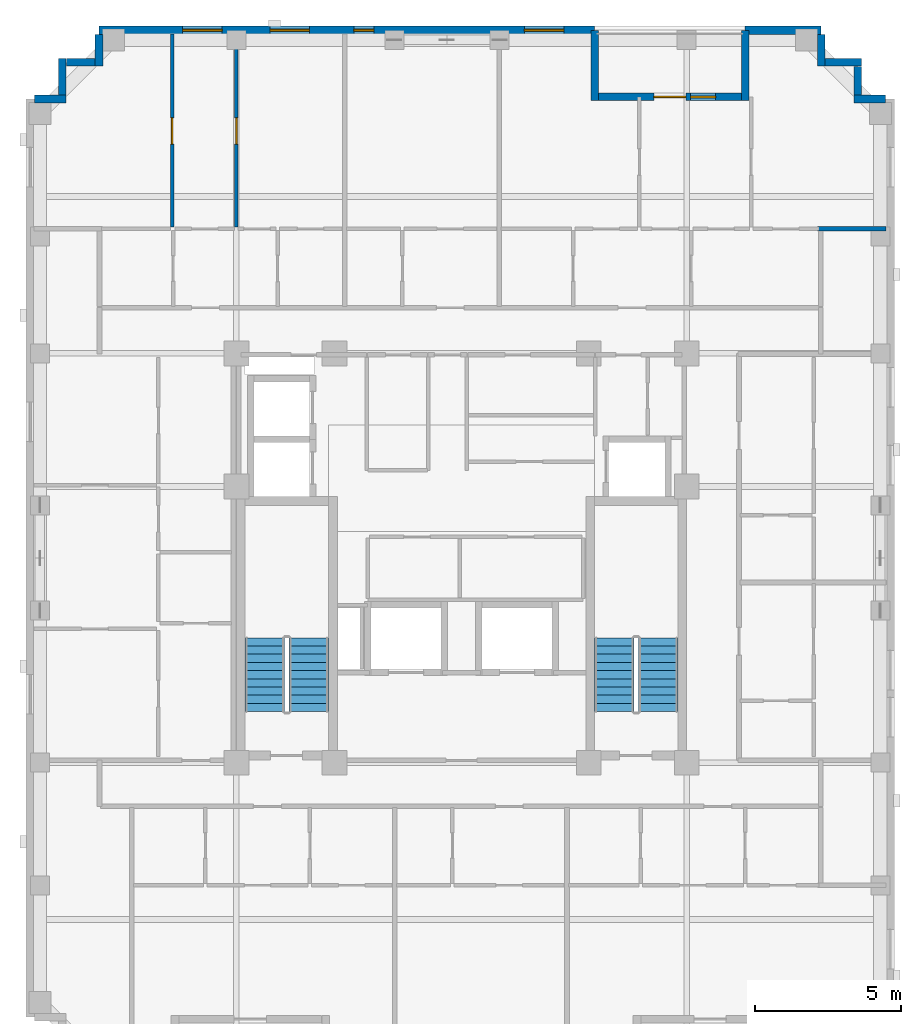
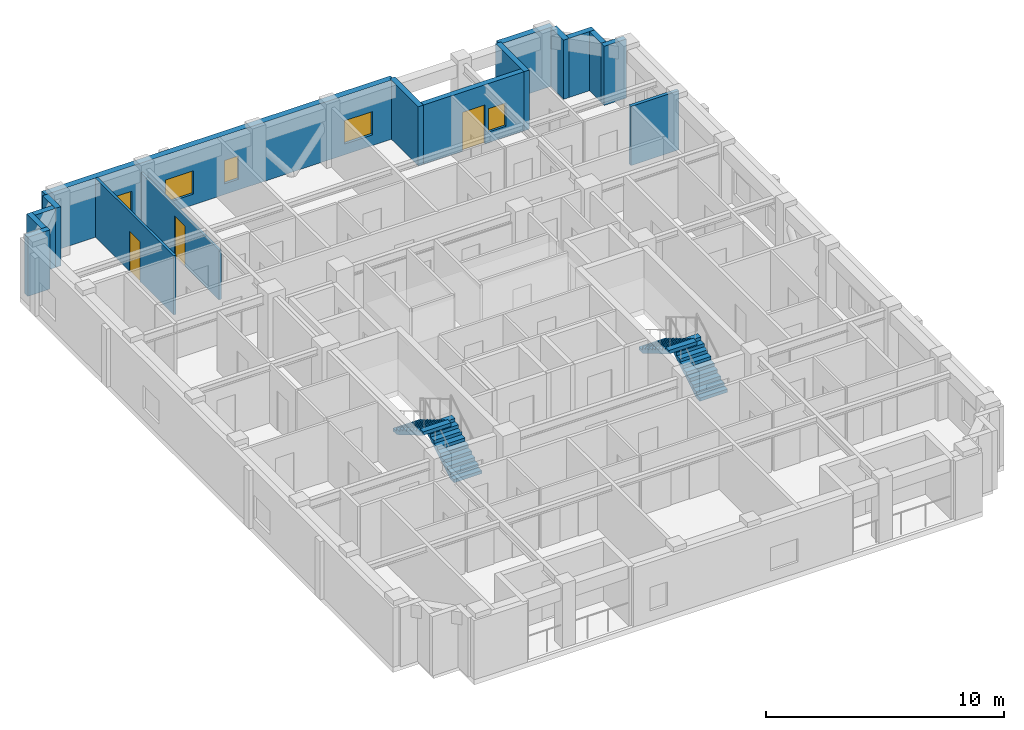
# One storey, part 7 of 11: 16 walls, 5 windows, 4 stair flights, 3 doors, 8 openings, 2 elements without a shape of their own.
"""IFC4 building model written with IfcOpenShell, lengths in metres."""

import ifcopenshell
import ifcopenshell.guid

model = None  # the IFC model being written
_history = None  # IfcOwnerHistory: only IFC2X3 demands one
_inside = {}  # id of a spatial element -> (the spatial element, [elements in it])
_under = {}  # id of a project, library or spatial element -> (it, [spatial elements below it])
_declared = {}  # id of a project -> (the project, [libraries it declares])
_typed = {}  # id of a type object -> (the type object, [elements of that type])
_made_of = {}  # id of a material, layer set ... -> (it, [elements and type objects made of it])


def new_model(schema):
    """Start an empty IFC model of exactly this schema.

    Asked for "IFC4X3", IfcOpenShell would pick the latest addendum, in which some entities
    have other attributes; the version numbers below select the first issue.
    IFC2X3 requires an IfcOwnerHistory on every rooted entity: one is made here for all.
    """
    global model, _history
    if schema == "IFC4X3":
        model = ifcopenshell.file(schema_version=(4, 3, 0, 0))
    else:
        model = ifcopenshell.file(schema=schema)
    _inside.clear()
    _under.clear()
    _declared.clear()
    _typed.clear()
    _made_of.clear()
    _history = None
    if model.schema == "IFC2X3":
        org = make("IfcOrganization", Name="unknown")
        user = make(
            "IfcPersonAndOrganization",
            ThePerson=make("IfcPerson", FamilyName="unknown"),
            TheOrganization=org,
        )
        app = make(
            "IfcApplication",
            ApplicationDeveloper=org,
            Version="unknown",
            ApplicationFullName="unknown",
            ApplicationIdentifier="unknown",
        )
        _history = make(
            "IfcOwnerHistory",
            OwningUser=user,
            OwningApplication=app,
            ChangeAction="ADDED",
            CreationDate=0,
        )
    return model


def make(cls, **values):
    """One entity of the class cls with the attributes given. An attribute that is None is left unset."""
    return model.create_entity(
        cls, **{name: value for name, value in values.items() if value is not None}
    )


def rooted(cls, **values):
    """An entity with a GlobalId (a new one), such as an element, a storey or a relation."""
    return make(cls, GlobalId=ifcopenshell.guid.new(), OwnerHistory=_history, **values)


def si_unit(unit_type, name, prefix=None):
    """IfcSIUnit, for example si_unit("LENGTHUNIT", "METRE", prefix="MILLI")."""
    return make("IfcSIUnit", UnitType=unit_type, Prefix=prefix, Name=name)


def derived_unit(unit_type, elements):
    """IfcDerivedUnit: a product of units, each with its exponent."""
    return make(
        "IfcDerivedUnit",
        Elements=[
            make("IfcDerivedUnitElement", Unit=unit, Exponent=power)
            for unit, power in elements
        ],
        UnitType=unit_type,
    )


def assignment(units):
    """IfcUnitAssignment: the units of a project."""
    return None if units is None else make("IfcUnitAssignment", Units=units)


def point(xyz):
    """IfcCartesianPoint."""
    return None if xyz is None else make("IfcCartesianPoint", Coordinates=xyz)


def direction(xyz):
    """IfcDirection."""
    return None if xyz is None else make("IfcDirection", DirectionRatios=xyz)


def frame(location, z_axis=None, x_axis=None):
    """IfcAxis2Placement3D, a coordinate frame: its origin and axes. An axis left out is left unset."""
    return make(
        "IfcAxis2Placement3D",
        Location=point(location),
        Axis=direction(z_axis),
        RefDirection=direction(x_axis),
    )


def frame_2d(location, x_axis=None):
    """IfcAxis2Placement2D, a coordinate frame in the plane: its origin and x axis."""
    return make(
        "IfcAxis2Placement2D", Location=point(location), RefDirection=direction(x_axis)
    )


def origin():
    """The frame at (0, 0, 0) with its axes left unset."""
    return frame((0.0, 0.0, 0.0))


def place(relative_to, where):
    """IfcLocalPlacement: puts the frame where relative to a parent placement (None: the world)."""
    return make(
        "IfcLocalPlacement", PlacementRelTo=relative_to, RelativePlacement=where
    )


def context(
    kind, dimensions, precision=None, world=None, true_north=None, identifier=None
):
    """IfcGeometricRepresentationContext, for example the 3D "Model" context."""
    return make(
        "IfcGeometricRepresentationContext",
        ContextIdentifier=identifier,
        ContextType=kind,
        CoordinateSpaceDimension=dimensions,
        Precision=precision,
        WorldCoordinateSystem=world,
        TrueNorth=true_north,
    )


def subcontext(parent, identifier, kind, view, scale=None):
    """IfcGeometricRepresentationSubContext, for example "Body" below "Model"."""
    return make(
        "IfcGeometricRepresentationSubContext",
        ContextIdentifier=identifier,
        ContextType=kind,
        ParentContext=parent,
        TargetScale=scale,
        TargetView=view,
    )


def project(units=None, contexts=None):
    """IfcProject with its units and contexts."""
    return rooted(
        "IfcProject",
        Name="project",
        RepresentationContexts=contexts,
        UnitsInContext=assignment(units),
    )


def spatial(cls, under=None, at=None, **own):
    """A site, building, storey or space (cls), placed at a placement, below another one or the project."""
    s = rooted(cls, ObjectPlacement=at, **own)
    if under is not None:
        _under.setdefault(under.id(), (under, []))[1].append(s)
    return s


def polyline(points):
    """IfcPolyline through the points."""
    return make("IfcPolyline", Points=[point(p) for p in points])


def profile(cls, at=None, kind="AREA", **sizes):
    """A parametric profile (cls). Its sizes go by their IFC names, for example OverallWidth=200.0."""
    return make(cls, ProfileType=kind, Position=at, **sizes)


def rectangle(**sizes):
    """IfcRectangleProfileDef."""
    return profile("IfcRectangleProfileDef", **sizes)


def outline(outer, holes=None, kind="AREA"):
    """IfcArbitraryClosedProfileDef: a profile drawn as a closed curve; with holes, ...WithVoids."""
    if holes is None:
        return make("IfcArbitraryClosedProfileDef", ProfileType=kind, OuterCurve=outer)
    return make(
        "IfcArbitraryProfileDefWithVoids",
        ProfileType=kind,
        OuterCurve=outer,
        InnerCurves=holes,
    )


def extrude(swept, where, along, depth):
    """IfcExtrudedAreaSolid: the profile swept, set in the frame where, extruded along a direction by depth."""
    return make(
        "IfcExtrudedAreaSolid",
        SweptArea=swept,
        Position=where,
        ExtrudedDirection=direction(along),
        Depth=depth,
    )


def shape(context_of_items, identifier, shape_type, items):
    """IfcShapeRepresentation: the items that make up one representation, for example the "Body"."""
    return make(
        "IfcShapeRepresentation",
        ContextOfItems=context_of_items,
        RepresentationIdentifier=identifier,
        RepresentationType=shape_type,
        Items=items,
    )


def material(Name=None, Category=None):
    """IfcMaterial."""
    return make("IfcMaterial", Name=Name, Category=Category)


def layer(
    of_material, thickness, ventilated=None, Name=None, Category=None, Priority=None
):
    """IfcMaterialLayer: one layer of a wall or slab, of a material (None: an air gap)."""
    return make(
        "IfcMaterialLayer",
        Material=of_material,
        LayerThickness=thickness,
        IsVentilated=ventilated,
        Name=Name,
        Category=Category,
        Priority=Priority,
    )


def layer_set(layers, Name=None):
    """IfcMaterialLayerSet."""
    return make("IfcMaterialLayerSet", MaterialLayers=layers, LayerSetName=Name)


def made_of(thing, what):
    """Note that an element or type object is made of a material, layer set ...; save() writes the relation."""
    if what is not None:
        _made_of.setdefault(what.id(), (what, []))[1].append(thing)
    return thing


def type_object(cls, material=None, **own):
    """A type object (cls), such as IfcWallType, which elements share."""
    return made_of(rooted(cls, **own), material)


def element(
    cls,
    number,
    at=None,
    inside=None,
    cuts=None,
    type_object=None,
    material=None,
    context=None,
    identifier="Body",
    shape_type=None,
    held_by="IfcProductDefinitionShape",
    body=None,
    shapes=None,
    **own,
):
    """One element of the class cls, such as IfcWall. Its Tag is "e" and its number.

    at: its placement. inside: the storey or other place that contains it. cuts: it is an
    opening in that element (IfcRelVoidsElement). A single representation is given by context,
    identifier, shape_type and body (its items); several are given by shapes. held_by: the class
    of the entity that holds the representations. save() writes the other relations.
    """
    e = rooted(cls, Tag="e%d" % number, ObjectPlacement=at, **own)
    if body is not None:
        shapes = [shape(context, identifier, shape_type, body)]
    if shapes is not None:
        e.Representation = make(held_by, Representations=shapes)
    if inside is not None:
        _inside.setdefault(inside.id(), (inside, []))[1].append(e)
    if cuts is not None:
        rooted(
            "IfcRelVoidsElement", RelatingBuildingElement=cuts, RelatedOpeningElement=e
        )
    if type_object is not None:
        _typed.setdefault(type_object.id(), (type_object, []))[1].append(e)
    return made_of(e, material)


def fill(opening, filler):
    """IfcRelFillsElement: the door or window that sits in an opening."""
    return rooted(
        "IfcRelFillsElement",
        RelatingOpeningElement=opening,
        RelatedBuildingElement=filler,
    )


def aggregate(whole, parts):
    """IfcRelAggregates: a whole, such as a stair, and the parts it consists of."""
    return rooted("IfcRelAggregates", RelatingObject=whole, RelatedObjects=parts)


def save(model, path):
    """Write the relations noted so far, then the file.

    IfcRelAggregates (storeys below a building ...), IfcRelContainedInSpatialStructure (elements
    in a storey), IfcRelDefinesByType, IfcRelAssociatesMaterial and IfcRelDeclares: one each for
    every whole, place, type object, material and project.
    """
    for whole, parts in _under.values():
        aggregate(whole, parts)
    for where, things in _inside.values():
        rooted(
            "IfcRelContainedInSpatialStructure",
            RelatedElements=things,
            RelatingStructure=where,
        )
    for kind, things in _typed.values():
        rooted("IfcRelDefinesByType", RelatedObjects=things, RelatingType=kind)
    for what, things in _made_of.values():
        rooted("IfcRelAssociatesMaterial", RelatedObjects=things, RelatingMaterial=what)
    for by, libraries in _declared.values():
        rooted("IfcRelDeclares", RelatingContext=by, RelatedDefinitions=libraries)
    model.write(path)


model = new_model("IFC4")

# Units and contexts
model_context = context("Model", 3, precision=1e-05, world=origin(), true_north=direction((0.0, 1.0)))
body_context = subcontext(model_context, "Body", "Model", "MODEL_VIEW")
ifc_project = project(units=[si_unit("LENGTHUNIT", "METRE"), si_unit("AREAUNIT", "SQUARE_METRE"), si_unit("VOLUMEUNIT", "CUBIC_METRE"), si_unit("PLANEANGLEUNIT", "RADIAN"), si_unit("MASSUNIT", "GRAM", prefix="KILO"), derived_unit("THERMALTRANSMITTANCEUNIT", [(si_unit("MASSUNIT", "GRAM", prefix="KILO"), 1), (si_unit("TIMEUNIT", "SECOND"), -3), (si_unit("THERMODYNAMICTEMPERATUREUNIT", "KELVIN"), -1)])], contexts=[model_context])

# Site, building, storey
site_placement = place(None, origin())
site = spatial("IfcSite", under=ifc_project, at=site_placement, CompositionType="ELEMENT")
building_placement = place(site_placement, origin())
building = spatial("IfcBuilding", under=site, at=building_placement, Name="Korrvale Station Residences", CompositionType="ELEMENT")
storey_placement = place(building_placement, frame((0.0, 0.0, 210.699951171875)))
storey = spatial("IfcBuildingStorey", under=building, at=storey_placement, Name="L61", CompositionType="ELEMENT", Elevation=210.699951171875)

# Wall
ifc_material_1 = material(Name="Precast concrete C45/55", Category="concrete")
ifc_layer_1 = layer(ifc_material_1, 0.260009765625, Name="Precast concrete C45/55")
ifc_layer_set_1 = layer_set([ifc_layer_1], Name="Precast concrete C45/55")
wall_type_1 = type_object("IfcWallType", Name="WAL-EXT-LOG260", PredefinedType="SOLIDWALL", material=ifc_layer_set_1)
wall_1_placement = place(storey_placement, frame((30.050048828125, 40.0400390625, 0.0), z_axis=(0.0, 0.0, 1.0), x_axis=(0.0, -1.0, 0.0)))
element("IfcWall", 1, at=wall_1_placement, inside=storey, type_object=wall_type_1, Name="L61 Recessed Loggia Wall BAL-L61-N1-L", PredefinedType="SOLIDWALL", context=body_context, shape_type="SweptSolid", body=[
    extrude(rectangle(XDim=2.400146484375, YDim=0.260009765625, at=frame_2d((1.2001953125, 0.0))), origin(), (0.0, 0.0, 1.0), 3.0400390625),
])

# Wall, openings, door, window
wall_2_placement = place(storey_placement, frame((30.18408203125, 37.77001953125, 0.0), z_axis=(0.0, 0.0, 1.0), x_axis=(1.0, 0.0, 0.0)))
wall_2 = element("IfcWall", 2, at=wall_2_placement, inside=storey, type_object=wall_type_1, Name="L61 Recessed Loggia Wall BAL-L61-N1-B", PredefinedType="SOLIDWALL", context=body_context, shape_type="SweptSolid", body=[
    extrude(rectangle(XDim=4.8818359375, YDim=0.260009765625, at=frame_2d((2.44091796875, 0.0))), origin(), (0.0, 0.0, 1.0), 3.0400390625),
])
opening_1_placement = place(wall_2_placement, frame((1.89111328125, 0.0, 0.0)))
opening_1 = element("IfcOpeningElement", 3, at=opening_1_placement, cuts=wall_2, Name="Opening BD-01", PredefinedType="OPENING", context=body_context, shape_type="SweptSolid", body=[
    extrude(rectangle(XDim=1.10009765625, YDim=2.0, at=frame_2d((0.550048828125, 1.0))), frame((0.0, 0.14013671875, 0.0), z_axis=(0.0, -1.0, 0.0), x_axis=(1.0, 0.0, 0.0)), (0.0, 0.0, 1.0), 0.280029296875),
])
opening_2_placement = place(wall_2_placement, frame((3.15087890625, 0.0, 0.550048828125)))
opening_2 = element("IfcOpeningElement", 4, at=opening_2_placement, cuts=wall_2, Name="Opening W-11", PredefinedType="OPENING", context=body_context, shape_type="SweptSolid", body=[
    extrude(rectangle(XDim=0.85009765625, YDim=1.199951171875, at=frame_2d((0.425048828125, 0.60009765625))), frame((0.0, 0.14013671875, 0.0), z_axis=(0.0, -1.0, 0.0), x_axis=(1.0, 0.0, 0.0)), (0.0, 0.0, 1.0), 0.280029296875),
])
ifc_material_2 = material(Name="Exterior thermally broken aluminium glazed balcony door", Category="aluminium")
door_type_1 = type_object("IfcDoorType", Name="DR-EXT-BAL", OperationType="NOTDEFINED", PredefinedType="DOOR", material=ifc_material_2)
door_1_placement = place(opening_1_placement, origin())
door_1 = element("IfcDoor", 5, at=door_1_placement, inside=storey, type_object=door_type_1, Name="L61 Loggia Balcony Door BAL-L61-N1", OperationType="SINGLE_SWING_RIGHT", OverallHeight=2.0, OverallWidth=1.10009765625, PredefinedType="DOOR", context=body_context, shape_type="SweptSolid", body=[
    extrude(rectangle(XDim=1.10009765625, YDim=2.0, at=frame_2d((0.550048828125, 1.0))), frame((0.0, 0.02490234375, 0.0), z_axis=(0.0, -1.0, 0.0), x_axis=(1.0, 0.0, 0.0)), (0.0, 0.0, 1.0), 0.050048828125),
])
fill(opening_1, door_1)
ifc_material_3 = material(Name="Thermally broken aluminium frame with triple low-e glazing", Category="aluminium")
window_type_1 = type_object("IfcWindowType", Name="WIN-W11", PartitioningType="SINGLE_PANEL", PredefinedType="WINDOW", material=ifc_material_3)
window_1_placement = place(opening_2_placement, origin())
window_1 = element("IfcWindow", 6, at=window_1_placement, inside=storey, type_object=window_type_1, Name="L61 Punched Window 09", OverallHeight=1.199951171875, OverallWidth=0.85009765625, PartitioningType="SINGLE_PANEL", PredefinedType="WINDOW", context=body_context, shape_type="SweptSolid", body=[
    extrude(rectangle(XDim=0.85009765625, YDim=1.199951171875, at=frame_2d((0.425048828125, 0.60009765625))), frame((0.0, 0.030029296875, 0.0), z_axis=(0.0, -1.0, 0.0), x_axis=(1.0, 0.0, 0.0)), (0.0, 0.0, 1.0), 0.06005859375),
])
fill(opening_2, window_1)

# Walls
wall_3_placement = place(storey_placement, frame((35.199951171875, 37.639892578125, 0.0), z_axis=(0.0, 0.0, 1.0), x_axis=(0.0, 1.0, 0.0)))
element("IfcWall", 7, at=wall_3_placement, inside=storey, type_object=wall_type_1, Name="L61 Recessed Loggia Wall BAL-L61-N1-R", PredefinedType="SOLIDWALL", context=body_context, shape_type="SweptSolid", body=[
    extrude(rectangle(XDim=2.400146484375, YDim=0.260009765625, at=frame_2d((1.2001953125, 0.0))), origin(), (0.0, 0.0, 1.0), 3.0400390625),
])
wall_4_placement = place(storey_placement, frame((10.902099609375, 37.699951171875, 0.0), z_axis=(0.0, 0.0, 1.0), x_axis=(1.0, 0.0, 0.0)))
element("IfcWall", 8, at=wall_4_placement, inside=storey, type_object=wall_type_1, Name="L61 Serrated Corner Precast Step NW-1", PredefinedType="SOLIDWALL", context=body_context, shape_type="SweptSolid", body=[
    extrude(rectangle(XDim=1.077880859375, YDim=0.260009765625, at=frame_2d((0.5390625, 0.0))), origin(), (0.0, 0.0, 1.0), 3.0400390625),
])
wall_5_placement = place(storey_placement, frame((11.85009765625, 37.83203125, 0.0), z_axis=(0.0, 0.0, 1.0), x_axis=(0.0, 1.0, 0.0)))
element("IfcWall", 9, at=wall_5_placement, inside=storey, type_object=wall_type_1, Name="L61 Serrated Corner Precast Step NW-2", PredefinedType="SOLIDWALL", context=body_context, shape_type="SweptSolid", body=[
    extrude(rectangle(XDim=1.248046875, YDim=0.260009765625, at=frame_2d((0.6240234375, 0.0))), origin(), (0.0, 0.0, 1.0), 3.0400390625),
])
wall_6_placement = place(storey_placement, frame((11.98193359375, 38.949951171875, 0.0), z_axis=(0.0, 0.0, 1.0), x_axis=(1.0, 0.0, 0.0)))
element("IfcWall", 10, at=wall_6_placement, inside=storey, type_object=wall_type_1, Name="L61 Serrated Corner Precast Step NW-3", PredefinedType="SOLIDWALL", context=body_context, shape_type="SweptSolid", body=[
    extrude(rectangle(XDim=0.986083984375, YDim=0.260009765625, at=frame_2d((0.4931640625, 0.0))), origin(), (0.0, 0.0, 1.0), 3.0400390625),
])
for number, where, z_axis, x_axis, name in (
    (11, (13.10009765625, 38.820068359375, 0.0), (0.0, 0.0, 1.0), (0.0, 1.0, 0.0), "L61 Serrated Corner Precast Step NW-4"),
    (12, (37.800048828125, 39.89794921875, 0.0), (0.0, 0.0, 1.0), (0.0, -1.0, 0.0), "L61 Serrated Corner Precast Step NE-1"),
):
    element("IfcWall", number, at=place(storey_placement, frame(where, z_axis=z_axis, x_axis=x_axis)), inside=storey, type_object=wall_type_1, Name=name, PredefinedType="SOLIDWALL", context=body_context, shape_type="SweptSolid", body=[
        extrude(rectangle(XDim=1.077880859375, YDim=0.260009765625, at=frame_2d((0.5390625, 0.0))), origin(), (0.0, 0.0, 1.0), 3.0400390625),
    ])
wall_7_placement = place(storey_placement, frame((37.931884765625, 38.949951171875, 0.0), z_axis=(0.0, 0.0, 1.0), x_axis=(1.0, 0.0, 0.0)))
element("IfcWall", 13, at=wall_7_placement, inside=storey, type_object=wall_type_1, Name="L61 Serrated Corner Precast Step NE-2", PredefinedType="SOLIDWALL", context=body_context, shape_type="SweptSolid", body=[
    extrude(rectangle(XDim=1.248046875, YDim=0.260009765625, at=frame_2d((0.6240234375, 0.0))), origin(), (0.0, 0.0, 1.0), 3.0400390625),
])
wall_8_placement = place(storey_placement, frame((39.050048828125, 38.818115234375, 0.0), z_axis=(0.0, 0.0, 1.0), x_axis=(0.0, -1.0, 0.0)))
element("IfcWall", 14, at=wall_8_placement, inside=storey, type_object=wall_type_1, Name="L61 Serrated Corner Precast Step NE-3", PredefinedType="SOLIDWALL", context=body_context, shape_type="SweptSolid", body=[
    extrude(rectangle(XDim=0.986083984375, YDim=0.260009765625, at=frame_2d((0.4931640625, 0.0))), origin(), (0.0, 0.0, 1.0), 3.0400390625),
])
wall_9_placement = place(storey_placement, frame((38.919921875, 37.699951171875, 0.0), z_axis=(0.0, 0.0, 1.0), x_axis=(1.0, 0.0, 0.0)))
element("IfcWall", 15, at=wall_9_placement, inside=storey, type_object=wall_type_1, Name="L61 Serrated Corner Precast Step NE-4", PredefinedType="SOLIDWALL", context=body_context, shape_type="SweptSolid", body=[
    extrude(rectangle(XDim=1.078125, YDim=0.260009765625, at=frame_2d((0.5390625, 0.0))), origin(), (0.0, 0.0, 1.0), 3.0400390625),
])

# Wall, openings, windows
ifc_layer_2 = layer(ifc_material_1, 0.300048828125, Name="Precast concrete C45/55")
ifc_layer_set_2 = layer_set([ifc_layer_2], Name="Precast concrete C45/55")
wall_type_2 = type_object("IfcWallType", Name="WAL-EXT-PC300", PredefinedType="SOLIDWALL", material=ifc_layer_set_2)
wall_10_placement = place(storey_placement, frame((13.10009765625, 40.050048828125, 0.0), z_axis=(0.0, 0.0, 1.0), x_axis=(1.0, 0.0, 0.0)))
wall_10 = element("IfcWall", 16, at=wall_10_placement, inside=storey, type_object=wall_type_2, Name="L61 North Exterior Precast Wall 1", PredefinedType="SOLIDWALL", context=body_context, shape_type="SweptSolid", body=[
    extrude(rectangle(XDim=16.949951171875, YDim=0.300048828125, at=frame_2d((8.47509765625, 0.0))), origin(), (0.0, 0.0, 1.0), 3.0400390625),
])
opening_3_placement = place(wall_10_placement, frame((2.864990234375, 0.0, 0.550048828125)))
opening_3 = element("IfcOpeningElement", 17, at=opening_3_placement, cuts=wall_10, Name="Opening W-10", PredefinedType="OPENING", context=body_context, shape_type="SweptSolid", body=[
    extrude(rectangle(XDim=1.35009765625, YDim=1.199951171875, at=frame_2d((0.675048828125, 0.60009765625))), frame((0.0, 0.16015625, 0.0), z_axis=(0.0, -1.0, 0.0), x_axis=(1.0, 0.0, 0.0)), (0.0, 0.0, 1.0), 0.320068359375),
])
opening_4_placement = place(wall_10_placement, frame((5.85009765625, 0.0, 0.550048828125)))
opening_4 = element("IfcOpeningElement", 18, at=opening_4_placement, cuts=wall_10, Name="Opening W-10", PredefinedType="OPENING", context=body_context, shape_type="SweptSolid", body=[
    extrude(rectangle(XDim=1.35009765625, YDim=1.199951171875, at=frame_2d((0.675048828125, 0.60009765625))), frame((0.0, 0.16015625, 0.0), z_axis=(0.0, -1.0, 0.0), x_axis=(1.0, 0.0, 0.0)), (0.0, 0.0, 1.0), 0.320068359375),
])
opening_5_placement = place(wall_10_placement, frame((8.719970703125, 0.0, 0.550048828125)))
opening_5 = element("IfcOpeningElement", 19, at=opening_5_placement, cuts=wall_10, Name="Opening W-12", PredefinedType="OPENING", context=body_context, shape_type="SweptSolid", body=[
    extrude(rectangle(XDim=0.679931640625, YDim=1.199951171875, at=frame_2d((0.33984375, 0.60009765625))), frame((0.0, 0.16015625, 0.0), z_axis=(0.0, -1.0, 0.0), x_axis=(1.0, 0.0, 0.0)), (0.0, 0.0, 1.0), 0.320068359375),
])
opening_6_placement = place(wall_10_placement, frame((14.550048828125, 0.0, 0.550048828125)))
opening_6 = element("IfcOpeningElement", 20, at=opening_6_placement, cuts=wall_10, Name="Opening W-10", PredefinedType="OPENING", context=body_context, shape_type="SweptSolid", body=[
    extrude(rectangle(XDim=1.35009765625, YDim=1.199951171875, at=frame_2d((0.675048828125, 0.60009765625))), frame((0.0, 0.16015625, 0.0), z_axis=(0.0, -1.0, 0.0), x_axis=(1.0, 0.0, 0.0)), (0.0, 0.0, 1.0), 0.320068359375),
])
window_type_2 = type_object("IfcWindowType", Name="WIN-W10", PartitioningType="SINGLE_PANEL", PredefinedType="WINDOW", material=ifc_material_3)
window_2_placement = place(opening_3_placement, origin())
window_2 = element("IfcWindow", 21, at=window_2_placement, inside=storey, type_object=window_type_2, Name="L61 Punched Window 05", OverallHeight=1.199951171875, OverallWidth=1.35009765625, PartitioningType="SINGLE_PANEL", PredefinedType="WINDOW", context=body_context, shape_type="SweptSolid", body=[
    extrude(rectangle(XDim=1.35009765625, YDim=1.199951171875, at=frame_2d((0.675048828125, 0.60009765625))), frame((0.0, 0.030029296875, 0.0), z_axis=(0.0, -1.0, 0.0), x_axis=(1.0, 0.0, 0.0)), (0.0, 0.0, 1.0), 0.06005859375),
])
fill(opening_3, window_2)
window_3_placement = place(opening_4_placement, origin())
window_3 = element("IfcWindow", 22, at=window_3_placement, inside=storey, type_object=window_type_2, Name="L61 Punched Window 06", OverallHeight=1.199951171875, OverallWidth=1.35009765625, PartitioningType="SINGLE_PANEL", PredefinedType="WINDOW", context=body_context, shape_type="SweptSolid", body=[
    extrude(rectangle(XDim=1.35009765625, YDim=1.199951171875, at=frame_2d((0.675048828125, 0.60009765625))), frame((0.0, 0.030029296875, 0.0), z_axis=(0.0, -1.0, 0.0), x_axis=(1.0, 0.0, 0.0)), (0.0, 0.0, 1.0), 0.06005859375),
])
fill(opening_4, window_3)
window_4_placement = place(opening_6_placement, origin())
window_4 = element("IfcWindow", 23, at=window_4_placement, inside=storey, type_object=window_type_2, Name="L61 Punched Window 08", OverallHeight=1.199951171875, OverallWidth=1.35009765625, PartitioningType="SINGLE_PANEL", PredefinedType="WINDOW", context=body_context, shape_type="SweptSolid", body=[
    extrude(rectangle(XDim=1.35009765625, YDim=1.199951171875, at=frame_2d((0.675048828125, 0.60009765625))), frame((0.0, 0.030029296875, 0.0), z_axis=(0.0, -1.0, 0.0), x_axis=(1.0, 0.0, 0.0)), (0.0, 0.0, 1.0), 0.06005859375),
])
fill(opening_6, window_4)
window_type_3 = type_object("IfcWindowType", Name="WIN-W12", PartitioningType="SINGLE_PANEL", PredefinedType="WINDOW", material=ifc_material_3)
window_5_placement = place(opening_5_placement, origin())
window_5 = element("IfcWindow", 24, at=window_5_placement, inside=storey, type_object=window_type_3, Name="L61 Punched Window 07", OverallHeight=1.199951171875, OverallWidth=0.679931640625, PartitioningType="SINGLE_PANEL", PredefinedType="WINDOW", context=body_context, shape_type="SweptSolid", body=[
    extrude(rectangle(XDim=0.679931640625, YDim=1.199951171875, at=frame_2d((0.33984375, 0.60009765625))), frame((0.0, 0.030029296875, 0.0), z_axis=(0.0, -1.0, 0.0), x_axis=(1.0, 0.0, 0.0)), (0.0, 0.0, 1.0), 0.06005859375),
])
fill(opening_5, window_5)

# Wall
wall_11_placement = place(storey_placement, frame((35.199951171875, 40.050048828125, 0.0), z_axis=(0.0, 0.0, 1.0), x_axis=(1.0, 0.0, 0.0)))
element("IfcWall", 25, at=wall_11_placement, inside=storey, type_object=wall_type_2, Name="L61 North Exterior Precast Wall 2", PredefinedType="SOLIDWALL", context=body_context, shape_type="SweptSolid", body=[
    extrude(rectangle(XDim=2.60009765625, YDim=0.300048828125, at=frame_2d((1.300048828125, 0.0))), origin(), (0.0, 0.0, 1.0), 3.0400390625),
])

# Wall, opening, door
ifc_material_4 = material(Name="Acoustic steel-stud gypsum board partition", Category="steel")
ifc_layer_3 = layer(ifc_material_4, 0.1201171875, Name="Acoustic steel-stud gypsum board partition")
ifc_layer_set_3 = layer_set([ifc_layer_3], Name="Acoustic steel-stud gypsum board partition")
wall_type_3 = type_object("IfcWallType", Name="WAL-PART-125", PredefinedType="PARTITIONING", material=ifc_layer_set_3)
wall_12_placement = place(storey_placement, frame((15.60107421875, 33.320068359375, 0.0), z_axis=(0.0, 0.0, 1.0), x_axis=(0.0, 1.0, 0.0)))
wall_12 = element("IfcWall", 26, at=wall_12_placement, inside=storey, type_object=wall_type_3, Name="L61 Suite Partition U04-V34", PredefinedType="PARTITIONING", context=body_context, shape_type="SweptSolid", body=[
    extrude(rectangle(XDim=6.599853515625, YDim=0.1201171875, at=frame_2d((3.2998046875, 0.0))), origin(), (0.0, 0.0, 1.0), 3.0400390625),
])
opening_7_placement = place(wall_12_placement, frame((2.8349609375, 0.0, 0.0)))
opening_7 = element("IfcOpeningElement", 27, at=opening_7_placement, cuts=wall_12, Name="Opening DI-900", PredefinedType="OPENING", context=body_context, shape_type="SweptSolid", body=[
    extrude(rectangle(XDim=0.89990234375, YDim=2.050048828125, at=frame_2d((0.449951171875, 1.02490234375))), frame((0.0, 0.070068359375, 0.0), z_axis=(0.0, -1.0, 0.0), x_axis=(1.0, 0.0, 0.0)), (0.0, 0.0, 1.0), 0.14013671875),
])
ifc_material_5 = material(Name="Painted solid-core timber interior room door", Category="wood")
door_type_2 = type_object("IfcDoorType", Name="DR-INT-900", OperationType="NOTDEFINED", PredefinedType="DOOR", material=ifc_material_5)
door_2_placement = place(opening_7_placement, origin())
door_2 = element("IfcDoor", 28, at=door_2_placement, inside=storey, type_object=door_type_2, Name="L61 Apartment 2BR L61-U04 Living and Dining Room Door", OperationType="SINGLE_SWING_LEFT", OverallHeight=2.050048828125, OverallWidth=0.89990234375, PredefinedType="DOOR", context=body_context, shape_type="SweptSolid", body=[
    extrude(rectangle(XDim=0.89990234375, YDim=2.050048828125, at=frame_2d((0.449951171875, 1.02490234375))), frame((0.0, 0.02490234375, 0.0), z_axis=(0.0, -1.0, 0.0), x_axis=(1.0, 0.0, 0.0)), (0.0, 0.0, 1.0), 0.050048828125),
])
fill(opening_7, door_2)

wall_13_placement = place(storey_placement, frame((17.800048828125, 33.320068359375, 0.0), z_axis=(0.0, 0.0, 1.0), x_axis=(0.0, 1.0, 0.0)))
wall_13 = element("IfcWall", 29, at=wall_13_placement, inside=storey, type_object=wall_type_3, Name="L61 Suite Partition U04-V45", PredefinedType="PARTITIONING", context=body_context, shape_type="SweptSolid", body=[
    extrude(rectangle(XDim=6.599853515625, YDim=0.1201171875, at=frame_2d((3.2998046875, 0.0))), origin(), (0.0, 0.0, 1.0), 2.55615234375),
])
opening_8_placement = place(wall_13_placement, frame((2.8349609375, 0.0, 0.0)))
opening_8 = element("IfcOpeningElement", 30, at=opening_8_placement, cuts=wall_13, Name="Opening DI-900", PredefinedType="OPENING", context=body_context, shape_type="SweptSolid", body=[
    extrude(rectangle(XDim=0.89990234375, YDim=2.050048828125, at=frame_2d((0.449951171875, 1.02490234375))), frame((0.0, 0.070068359375, 0.0), z_axis=(0.0, -1.0, 0.0), x_axis=(1.0, 0.0, 0.0)), (0.0, 0.0, 1.0), 0.14013671875),
])
door_3_placement = place(opening_8_placement, origin())
door_3 = element("IfcDoor", 31, at=door_3_placement, inside=storey, type_object=door_type_2, Name="L61 Apartment 2BR L61-U04 Bedroom 1 Door", OperationType="SINGLE_SWING_RIGHT", OverallHeight=2.050048828125, OverallWidth=0.89990234375, PredefinedType="DOOR", context=body_context, shape_type="SweptSolid", body=[
    extrude(rectangle(XDim=0.89990234375, YDim=2.050048828125, at=frame_2d((0.449951171875, 1.02490234375))), frame((0.0, 0.02490234375, 0.0), z_axis=(0.0, -1.0, 0.0), x_axis=(1.0, 0.0, 0.0)), (0.0, 0.0, 1.0), 0.050048828125),
])
fill(opening_8, door_3)

# Wall
ifc_material_6 = material(Name="Fire-rated twin-stud gypsum and mineral wool shaftwall assembly", Category="gypsum")
ifc_layer_4 = layer(ifc_material_6, 0.159912109375, Name="Fire-rated twin-stud gypsum and mineral wool shaftwall assembly")
ifc_layer_set_4 = layer_set([ifc_layer_4], Name="Fire-rated twin-stud gypsum and mineral wool shaftwall assembly")
wall_type_4 = type_object("IfcWallType", Name="WAL-PART-200", PredefinedType="PARTITIONING", material=ifc_layer_set_4)
wall_14_placement = place(storey_placement, frame((37.679931640625, 33.260009765625, 0.0), z_axis=(0.0, 0.0, 1.0), x_axis=(1.0, 0.0, 0.0)))
element("IfcWall", 32, at=wall_14_placement, inside=storey, type_object=wall_type_4, Name="L61 Corner Step Wall U06-R", PredefinedType="PARTITIONING", context=body_context, shape_type="SweptSolid", body=[
    extrude(rectangle(XDim=2.340087890625, YDim=0.159912109375, at=frame_2d((1.169921875, 0.0))), origin(), (0.0, 0.0, 1.0), 3.0400390625),
])

# Stair, stair flights
ifc_material_7 = material(Name="Concrete C50/60", Category="concrete")
stair_type = type_object("IfcStairType", Name="STR-DL-1350-20R-1650", PredefinedType="HALF_TURN_STAIR", material=ifc_material_7)
stair_1_placement = place(storey_placement, origin())
stair_1 = element("IfcStair", 33, at=stair_1_placement, inside=storey, type_object=stair_type, Name="L61 Exit Stair 1", PredefinedType="HALF_TURN_STAIR")
stair_flight_type = type_object("IfcStairFlightType", Name="FLT-DL-1350-20R-1650", PredefinedType="STRAIGHT", material=ifc_material_7)
stair_flight_1_placement = place(storey_placement, frame((20.27490234375, 16.75, 0.0), z_axis=(0.0, 0.0, 1.0), x_axis=(0.0, 1.0, 0.0)))
stair_flight_1 = element("IfcStairFlight", 34, at=stair_flight_1_placement, type_object=stair_flight_type, Name="ST-1 flight 1", NumberOfRisers=10, NumberOfTreads=9, PredefinedType="STRAIGHT", RiserHeight=0.165, TreadLength=0.28, context=body_context, shape_type="SweptSolid", body=[
    extrude(outline(polyline([(0.0, 0.0), (0.0, 0.1650390625), (0.280029296875, 0.1650390625), (0.280029296875, 0.330078125), (0.56005859375, 0.330078125), (0.56005859375, 0.4951171875), (0.840087890625, 0.4951171875), (0.840087890625, 0.659912109375), (1.1201171875, 0.659912109375), (1.1201171875, 0.824951171875), (1.39990234375, 0.824951171875), (1.39990234375, 0.989990234375), (1.679931640625, 0.989990234375), (1.679931640625, 1.155029296875), (1.9599609375, 1.155029296875), (1.9599609375, 1.320068359375), (2.239990234375, 1.320068359375), (2.239990234375, 1.485107421875), (2.52001953125, 1.485107421875), (2.52001953125, 1.64990234375), (2.52001953125, 1.31103515625), (0.295166015625, 0.0), (0.0, 0.0)])), frame((0.0, 0.675048828125, 0.0), z_axis=(0.0, -1.0, 0.0), x_axis=(1.0, 0.0, 0.0)), (0.0, 0.0, 1.0), 1.35009765625),
])
stair_flight_2_placement = place(storey_placement, frame((18.77490234375, 19.27001953125, 1.650146484375), z_axis=(0.0, 0.0, 1.0), x_axis=(0.0, -1.0, 0.0)))
stair_flight_2 = element("IfcStairFlight", 35, at=stair_flight_2_placement, type_object=stair_flight_type, Name="ST-1 flight 2", NumberOfRisers=10, NumberOfTreads=9, PredefinedType="STRAIGHT", RiserHeight=0.165, TreadLength=0.28, context=body_context, shape_type="SweptSolid", body=[
    extrude(outline(polyline([(0.0, 0.0), (0.0, 0.1650390625), (0.280029296875, 0.1650390625), (0.280029296875, 0.330078125), (0.56005859375, 0.330078125), (0.56005859375, 0.4951171875), (0.840087890625, 0.4951171875), (0.840087890625, 0.659912109375), (1.1201171875, 0.659912109375), (1.1201171875, 0.824951171875), (1.39990234375, 0.824951171875), (1.39990234375, 0.989990234375), (1.679931640625, 0.989990234375), (1.679931640625, 1.155029296875), (1.9599609375, 1.155029296875), (1.9599609375, 1.320068359375), (2.239990234375, 1.320068359375), (2.239990234375, 1.485107421875), (2.52001953125, 1.485107421875), (2.52001953125, 1.64990234375), (2.52001953125, 1.31103515625), (0.295166015625, 0.0), (0.0, 0.0)])), frame((0.0, 0.675048828125, 0.0), z_axis=(0.0, -1.0, 0.0), x_axis=(1.0, 0.0, 0.0)), (0.0, 0.0, 1.0), 1.35009765625),
])
aggregate(stair_1, [stair_flight_1, stair_flight_2])

stair_2_placement = place(storey_placement, origin())
stair_2 = element("IfcStair", 36, at=stair_2_placement, inside=storey, type_object=stair_type, Name="L61 Exit Stair 2", PredefinedType="HALF_TURN_STAIR")
stair_flight_3_placement = place(storey_placement, frame((32.22509765625, 16.75, 0.0), z_axis=(0.0, 0.0, 1.0), x_axis=(0.0, 1.0, 0.0)))
stair_flight_3 = element("IfcStairFlight", 37, at=stair_flight_3_placement, type_object=stair_flight_type, Name="ST-2 flight 1", NumberOfRisers=10, NumberOfTreads=9, PredefinedType="STRAIGHT", RiserHeight=0.165, TreadLength=0.28, context=body_context, shape_type="SweptSolid", body=[
    extrude(outline(polyline([(0.0, 0.0), (0.0, 0.1650390625), (0.280029296875, 0.1650390625), (0.280029296875, 0.330078125), (0.56005859375, 0.330078125), (0.56005859375, 0.4951171875), (0.840087890625, 0.4951171875), (0.840087890625, 0.659912109375), (1.1201171875, 0.659912109375), (1.1201171875, 0.824951171875), (1.39990234375, 0.824951171875), (1.39990234375, 0.989990234375), (1.679931640625, 0.989990234375), (1.679931640625, 1.155029296875), (1.9599609375, 1.155029296875), (1.9599609375, 1.320068359375), (2.239990234375, 1.320068359375), (2.239990234375, 1.485107421875), (2.52001953125, 1.485107421875), (2.52001953125, 1.64990234375), (2.52001953125, 1.31103515625), (0.295166015625, 0.0), (0.0, 0.0)])), frame((0.0, 0.675048828125, 0.0), z_axis=(0.0, -1.0, 0.0), x_axis=(1.0, 0.0, 0.0)), (0.0, 0.0, 1.0), 1.35009765625),
])
stair_flight_4_placement = place(storey_placement, frame((30.72509765625, 19.27001953125, 1.650146484375), z_axis=(0.0, 0.0, 1.0), x_axis=(0.0, -1.0, 0.0)))
stair_flight_4 = element("IfcStairFlight", 38, at=stair_flight_4_placement, type_object=stair_flight_type, Name="ST-2 flight 2", NumberOfRisers=10, NumberOfTreads=9, PredefinedType="STRAIGHT", RiserHeight=0.165, TreadLength=0.28, context=body_context, shape_type="SweptSolid", body=[
    extrude(outline(polyline([(0.0, 0.0), (0.0, 0.1650390625), (0.280029296875, 0.1650390625), (0.280029296875, 0.330078125), (0.56005859375, 0.330078125), (0.56005859375, 0.4951171875), (0.840087890625, 0.4951171875), (0.840087890625, 0.659912109375), (1.1201171875, 0.659912109375), (1.1201171875, 0.824951171875), (1.39990234375, 0.824951171875), (1.39990234375, 0.989990234375), (1.679931640625, 0.989990234375), (1.679931640625, 1.155029296875), (1.9599609375, 1.155029296875), (1.9599609375, 1.320068359375), (2.239990234375, 1.320068359375), (2.239990234375, 1.485107421875), (2.52001953125, 1.485107421875), (2.52001953125, 1.64990234375), (2.52001953125, 1.31103515625), (0.295166015625, 0.0), (0.0, 0.0)])), frame((0.0, 0.675048828125, 0.0), z_axis=(0.0, -1.0, 0.0), x_axis=(1.0, 0.0, 0.0)), (0.0, 0.0, 1.0), 1.35009765625),
])
aggregate(stair_2, [stair_flight_3, stair_flight_4])

save(model, "model.ifc")
